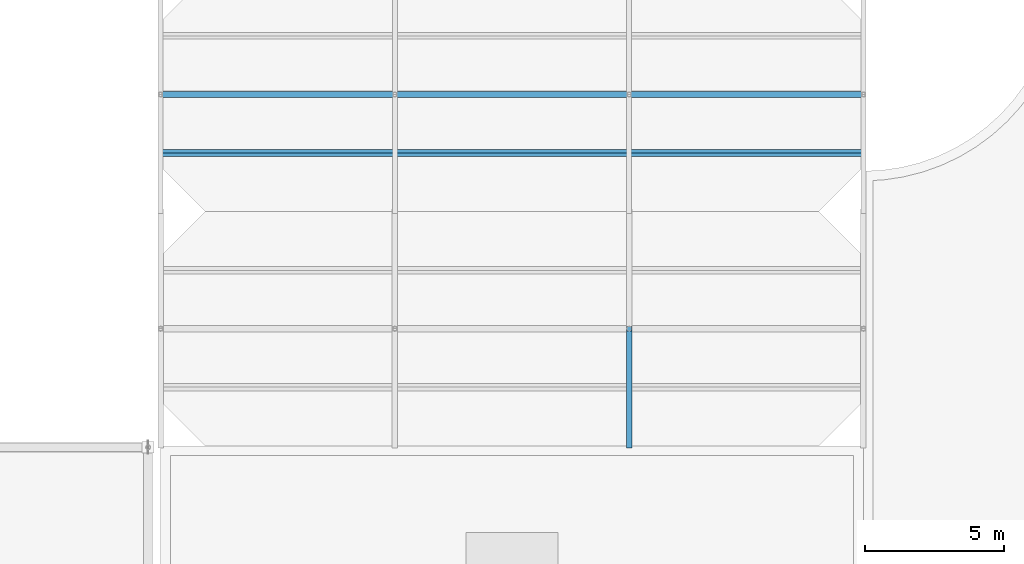
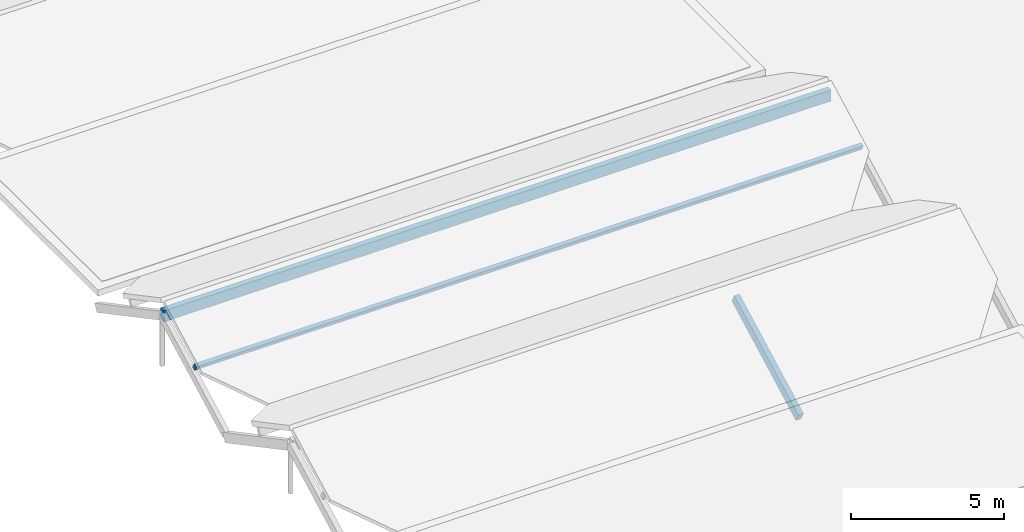
# One storey, part 43 of 82: 2 members, 1 beam.
"""IFC4 building model written with IfcOpenShell, lengths in metres."""

import ifcopenshell
import ifcopenshell.guid

model = None  # the IFC model being written
_history = None  # IfcOwnerHistory: only IFC2X3 demands one
_inside = {}  # id of a spatial element -> (the spatial element, [elements in it])
_under = {}  # id of a project, library or spatial element -> (it, [spatial elements below it])
_declared = {}  # id of a project -> (the project, [libraries it declares])
_typed = {}  # id of a type object -> (the type object, [elements of that type])
_made_of = {}  # id of a material, layer set ... -> (it, [elements and type objects made of it])


def new_model(schema):
    """Start an empty IFC model of exactly this schema.

    Asked for "IFC4X3", IfcOpenShell would pick the latest addendum, in which some entities
    have other attributes; the version numbers below select the first issue.
    IFC2X3 requires an IfcOwnerHistory on every rooted entity: one is made here for all.
    """
    global model, _history
    if schema == "IFC4X3":
        model = ifcopenshell.file(schema_version=(4, 3, 0, 0))
    else:
        model = ifcopenshell.file(schema=schema)
    _inside.clear()
    _under.clear()
    _declared.clear()
    _typed.clear()
    _made_of.clear()
    _history = None
    if model.schema == "IFC2X3":
        org = make("IfcOrganization", Name="unknown")
        user = make(
            "IfcPersonAndOrganization",
            ThePerson=make("IfcPerson", FamilyName="unknown"),
            TheOrganization=org,
        )
        app = make(
            "IfcApplication",
            ApplicationDeveloper=org,
            Version="unknown",
            ApplicationFullName="unknown",
            ApplicationIdentifier="unknown",
        )
        _history = make(
            "IfcOwnerHistory",
            OwningUser=user,
            OwningApplication=app,
            ChangeAction="ADDED",
            CreationDate=0,
        )
    return model


def make(cls, **values):
    """One entity of the class cls with the attributes given. An attribute that is None is left unset."""
    return model.create_entity(
        cls, **{name: value for name, value in values.items() if value is not None}
    )


def rooted(cls, **values):
    """An entity with a GlobalId (a new one), such as an element, a storey or a relation."""
    return make(cls, GlobalId=ifcopenshell.guid.new(), OwnerHistory=_history, **values)


def si_unit(unit_type, name, prefix=None):
    """IfcSIUnit, for example si_unit("LENGTHUNIT", "METRE", prefix="MILLI")."""
    return make("IfcSIUnit", UnitType=unit_type, Prefix=prefix, Name=name)


def assignment(units):
    """IfcUnitAssignment: the units of a project."""
    return None if units is None else make("IfcUnitAssignment", Units=units)


def point(xyz):
    """IfcCartesianPoint."""
    return None if xyz is None else make("IfcCartesianPoint", Coordinates=xyz)


def direction(xyz):
    """IfcDirection."""
    return None if xyz is None else make("IfcDirection", DirectionRatios=xyz)


def frame(location, z_axis=None, x_axis=None):
    """IfcAxis2Placement3D, a coordinate frame: its origin and axes. An axis left out is left unset."""
    return make(
        "IfcAxis2Placement3D",
        Location=point(location),
        Axis=direction(z_axis),
        RefDirection=direction(x_axis),
    )


def frame_2d(location, x_axis=None):
    """IfcAxis2Placement2D, a coordinate frame in the plane: its origin and x axis."""
    return make(
        "IfcAxis2Placement2D", Location=point(location), RefDirection=direction(x_axis)
    )


def origin():
    """The frame at (0, 0, 0) with its axes left unset."""
    return frame((0.0, 0.0, 0.0))


def origin_2d():
    """The frame at (0, 0) in the plane with its x axis left unset."""
    return frame_2d((0.0, 0.0))


def place(relative_to, where):
    """IfcLocalPlacement: puts the frame where relative to a parent placement (None: the world)."""
    return make(
        "IfcLocalPlacement", PlacementRelTo=relative_to, RelativePlacement=where
    )


def context(
    kind, dimensions, precision=None, world=None, true_north=None, identifier=None
):
    """IfcGeometricRepresentationContext, for example the 3D "Model" context."""
    return make(
        "IfcGeometricRepresentationContext",
        ContextIdentifier=identifier,
        ContextType=kind,
        CoordinateSpaceDimension=dimensions,
        Precision=precision,
        WorldCoordinateSystem=world,
        TrueNorth=true_north,
    )


def subcontext(parent, identifier, kind, view, scale=None):
    """IfcGeometricRepresentationSubContext, for example "Body" below "Model"."""
    return make(
        "IfcGeometricRepresentationSubContext",
        ContextIdentifier=identifier,
        ContextType=kind,
        ParentContext=parent,
        TargetScale=scale,
        TargetView=view,
    )


def project(units=None, contexts=None):
    """IfcProject with its units and contexts."""
    return rooted(
        "IfcProject",
        Name="project",
        RepresentationContexts=contexts,
        UnitsInContext=assignment(units),
    )


def spatial(cls, under=None, at=None, **own):
    """A site, building, storey or space (cls), placed at a placement, below another one or the project."""
    s = rooted(cls, ObjectPlacement=at, **own)
    if under is not None:
        _under.setdefault(under.id(), (under, []))[1].append(s)
    return s


def profile(cls, at=None, kind="AREA", **sizes):
    """A parametric profile (cls). Its sizes go by their IFC names, for example OverallWidth=200.0."""
    return make(cls, ProfileType=kind, Position=at, **sizes)


def rectangle(**sizes):
    """IfcRectangleProfileDef."""
    return profile("IfcRectangleProfileDef", **sizes)


def extrude(swept, where, along, depth):
    """IfcExtrudedAreaSolid: the profile swept, set in the frame where, extruded along a direction by depth."""
    return make(
        "IfcExtrudedAreaSolid",
        SweptArea=swept,
        Position=where,
        ExtrudedDirection=direction(along),
        Depth=depth,
    )


def shape(context_of_items, identifier, shape_type, items):
    """IfcShapeRepresentation: the items that make up one representation, for example the "Body"."""
    return make(
        "IfcShapeRepresentation",
        ContextOfItems=context_of_items,
        RepresentationIdentifier=identifier,
        RepresentationType=shape_type,
        Items=items,
    )


def material(Name=None, Category=None):
    """IfcMaterial."""
    return make("IfcMaterial", Name=Name, Category=Category)


def material_profile(
    of_material, cross_section, Name=None, Category=None, Priority=None
):
    """IfcMaterialProfile: a cross section and its material."""
    return make(
        "IfcMaterialProfile",
        Name=Name,
        Material=of_material,
        Profile=cross_section,
        Priority=Priority,
        Category=Category,
    )


def profile_set(profiles, Name=None, composite=None):
    """IfcMaterialProfileSet."""
    return make(
        "IfcMaterialProfileSet",
        Name=Name,
        MaterialProfiles=profiles,
        CompositeProfile=composite,
    )


def made_of(thing, what):
    """Note that an element or type object is made of a material, layer set ...; save() writes the relation."""
    if what is not None:
        _made_of.setdefault(what.id(), (what, []))[1].append(thing)
    return thing


def type_object(cls, material=None, **own):
    """A type object (cls), such as IfcWallType, which elements share."""
    return made_of(rooted(cls, **own), material)


def element(
    cls,
    number,
    at=None,
    inside=None,
    cuts=None,
    type_object=None,
    material=None,
    context=None,
    identifier="Body",
    shape_type=None,
    held_by="IfcProductDefinitionShape",
    body=None,
    shapes=None,
    **own,
):
    """One element of the class cls, such as IfcWall. Its Tag is "e" and its number.

    at: its placement. inside: the storey or other place that contains it. cuts: it is an
    opening in that element (IfcRelVoidsElement). A single representation is given by context,
    identifier, shape_type and body (its items); several are given by shapes. held_by: the class
    of the entity that holds the representations. save() writes the other relations.
    """
    e = rooted(cls, Tag="e%d" % number, ObjectPlacement=at, **own)
    if body is not None:
        shapes = [shape(context, identifier, shape_type, body)]
    if shapes is not None:
        e.Representation = make(held_by, Representations=shapes)
    if inside is not None:
        _inside.setdefault(inside.id(), (inside, []))[1].append(e)
    if cuts is not None:
        rooted(
            "IfcRelVoidsElement", RelatingBuildingElement=cuts, RelatedOpeningElement=e
        )
    if type_object is not None:
        _typed.setdefault(type_object.id(), (type_object, []))[1].append(e)
    return made_of(e, material)


def aggregate(whole, parts):
    """IfcRelAggregates: a whole, such as a stair, and the parts it consists of."""
    return rooted("IfcRelAggregates", RelatingObject=whole, RelatedObjects=parts)


def save(model, path):
    """Write the relations noted so far, then the file.

    IfcRelAggregates (storeys below a building ...), IfcRelContainedInSpatialStructure (elements
    in a storey), IfcRelDefinesByType, IfcRelAssociatesMaterial and IfcRelDeclares: one each for
    every whole, place, type object, material and project.
    """
    for whole, parts in _under.values():
        aggregate(whole, parts)
    for where, things in _inside.values():
        rooted(
            "IfcRelContainedInSpatialStructure",
            RelatedElements=things,
            RelatingStructure=where,
        )
    for kind, things in _typed.values():
        rooted("IfcRelDefinesByType", RelatedObjects=things, RelatingType=kind)
    for what, things in _made_of.values():
        rooted("IfcRelAssociatesMaterial", RelatedObjects=things, RelatingMaterial=what)
    for by, libraries in _declared.values():
        rooted("IfcRelDeclares", RelatingContext=by, RelatedDefinitions=libraries)
    model.write(path)


model = new_model("IFC4")

# Units and contexts
model_context = context("Model", 3, precision=1e-05, world=origin(), true_north=direction((0.0, 1.0)))
body_context = subcontext(model_context, "Body", "Model", "MODEL_VIEW")
ifc_project = project(units=[si_unit("LENGTHUNIT", "METRE"), si_unit("AREAUNIT", "SQUARE_METRE"), si_unit("VOLUMEUNIT", "CUBIC_METRE"), si_unit("PLANEANGLEUNIT", "RADIAN"), si_unit("MASSUNIT", "GRAM", prefix="KILO")], contexts=[model_context])

# Site, building, storey
site_placement = place(None, origin())
site = spatial("IfcSite", under=ifc_project, at=site_placement, CompositionType="ELEMENT")
building_placement = place(site_placement, origin())
building = spatial("IfcBuilding", under=site, at=building_placement, Name="Bramfleet General Hospital", CompositionType="ELEMENT")
storey_placement = place(building_placement, frame((0.0, 0.0, 34.199951171875)))
storey = spatial("IfcBuildingStorey", under=building, at=storey_placement, Name="Roof", CompositionType="ELEMENT", Elevation=34.199951171875)

# Beam
ifc_material = material(Name="Structural timber GL28h", Category="wood")
ifc_material_profile_1 = material_profile(ifc_material, rectangle(XDim=0.219970703125, YDim=0.43994140625, at=origin_2d()), Name="GL28h 440x220")
ifc_profile_set_1 = profile_set([ifc_material_profile_1], Name="Structural timber GL28h")
beam_type = type_object("IfcBeamType", Name="BM-GL440", PredefinedType="BEAM", material=ifc_profile_set_1)
beam_placement = place(storey_placement, frame((92.39990234375, 63.0, 1.561279296875), z_axis=(1.0, 0.0, 0.0), x_axis=(0.0, 1.0, 0.0)))
element("IfcBeam", 1, at=beam_placement, inside=storey, type_object=beam_type, Name="Patient House PH-12 Glulam Ridge Beam", PredefinedType="BEAM", context=body_context, shape_type="SweptSolid", body=[
    extrude(rectangle(XDim=0.219970703125, YDim=0.43994140625, at=origin_2d()), origin(), (0.0, 0.0, 1.0), 25.2001953125),
])

# Members
ifc_material_profile_2 = material_profile(ifc_material, rectangle(XDim=0.139892578125, YDim=0.239990234375, at=origin_2d()), Name="GL28h 240x140")
ifc_profile_set_2 = profile_set([ifc_material_profile_2], Name="Structural timber GL28h")
member_type_1 = type_object("IfcMemberType", Name="MEM-PR-GL240", PredefinedType="PURLIN", material=ifc_profile_set_2)
member_1_placement = place(storey_placement, frame((92.39990234375, 60.89990234375, 0.754638671875), z_axis=(1.0, 0.0, 0.0), x_axis=(0.0, 0.882947592859, 0.469471562786)))
element("IfcMember", 2, at=member_1_placement, inside=storey, type_object=member_type_1, Name="Patient House PH-12 South Glulam Purlin", PredefinedType="PURLIN", context=body_context, shape_type="SweptSolid", body=[
    extrude(rectangle(XDim=0.139892578125, YDim=0.239990234375, at=origin_2d()), origin(), (0.0, 0.0, 1.0), 25.2001953125),
])
ifc_material_profile_3 = material_profile(ifc_material, rectangle(XDim=0.199951171875, YDim=0.360107421875, at=origin_2d()), Name="GL28h 360x200")
ifc_profile_set_3 = profile_set([ifc_material_profile_3], Name="Structural timber GL28h")
member_type_2 = type_object("IfcMemberType", Name="MEM-RF-GL360", PredefinedType="RAFTER", material=ifc_profile_set_3)
member_2_placement = place(storey_placement, frame((109.199951171875, 50.39990234375, -0.75634765625), z_axis=(0.0, 0.882958848035, 0.469450394267), x_axis=(-1.0, 0.0, 0.0)))
element("IfcMember", 3, at=member_2_placement, inside=storey, type_object=member_type_2, Name="Patient House PH-11 South Glulam Rafter 2", PredefinedType="RAFTER", context=body_context, shape_type="SweptSolid", body=[
    extrude(rectangle(XDim=0.199951171875, YDim=0.360107421875, at=origin_2d()), origin(), (0.0, 0.0, 1.0), 4.7568359375),
])

save(model, "model.ifc")
